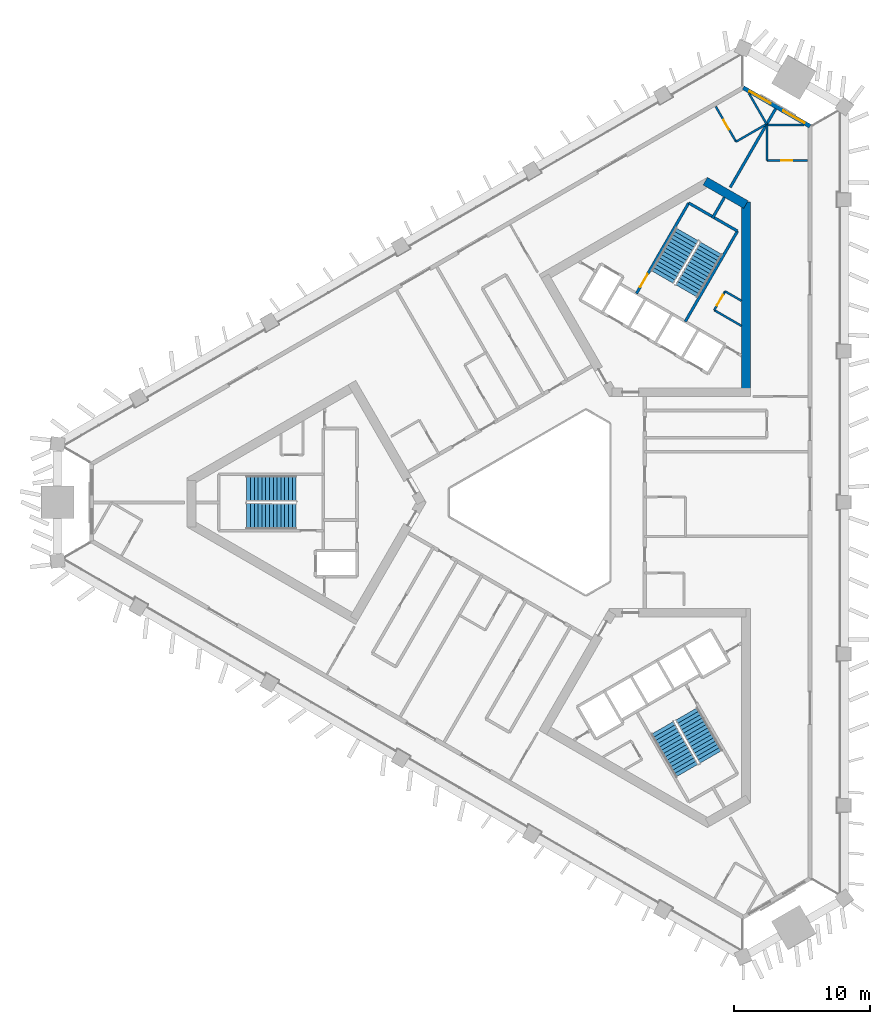
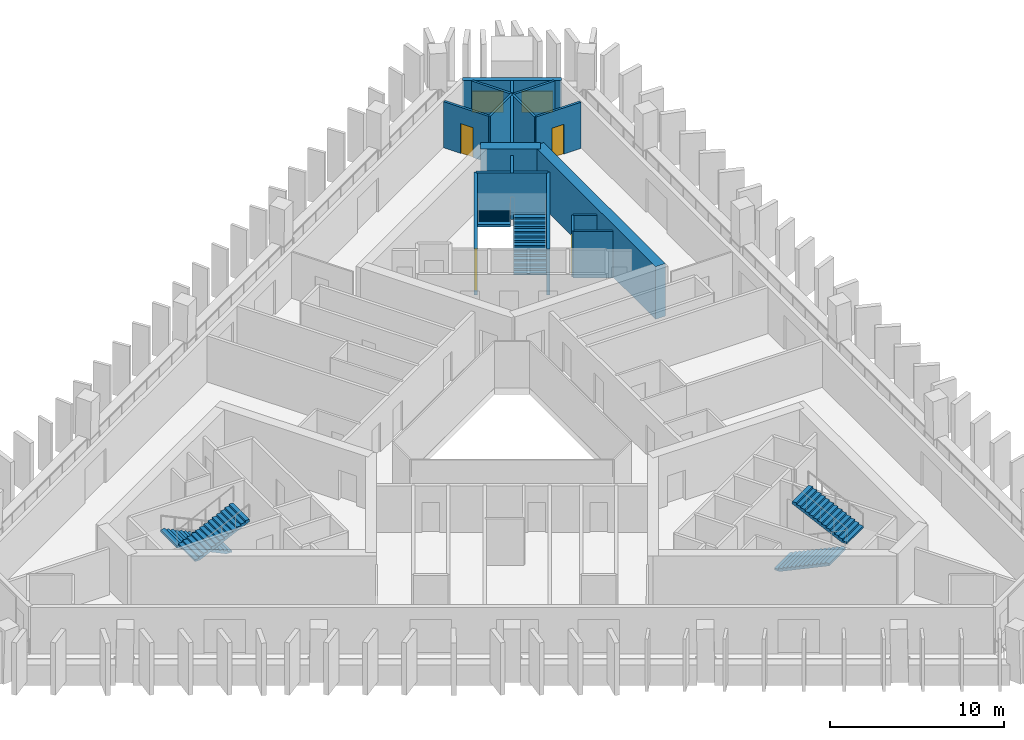
# One storey, part 6 of 10: 17 walls, 6 stair flights, 4 doors, 2 windows, 6 openings, 3 elements without a shape of their own.
"""IFC4 building model written with IfcOpenShell, lengths in metres."""

from ifc_helpers import new_model, si_unit, direction, frame, frame_2d, origin, place, context, subcontext, project, spatial, polyline, rectangle, outline, extrude, material, layer, layer_set, type_object, element, fill, aggregate, save


model = new_model("IFC4")

# Units and contexts
model_context = context("Model", 3, precision=1e-05, world=origin(), true_north=direction((0.0, 1.0)))
body_context = subcontext(model_context, "Body", "Model", "MODEL_VIEW")
ifc_project = project(units=[si_unit("LENGTHUNIT", "METRE"), si_unit("AREAUNIT", "SQUARE_METRE"), si_unit("VOLUMEUNIT", "CUBIC_METRE"), si_unit("PLANEANGLEUNIT", "RADIAN"), si_unit("MASSUNIT", "GRAM", prefix="KILO")], contexts=[model_context])

# Site, building, storey
site_placement = place(None, origin())
site = spatial("IfcSite", under=ifc_project, at=site_placement, CompositionType="ELEMENT")
building_placement = place(site_placement, origin())
building = spatial("IfcBuilding", under=site, at=building_placement, Name="Jabali Bay Hotel Tower and Convention Centre", CompositionType="ELEMENT")
storey_placement = place(building_placement, frame((0.0, 0.0, 140.10009765625)))
storey = spatial("IfcBuildingStorey", under=building, at=storey_placement, Name="L34", CompositionType="ELEMENT", Elevation=140.10009765625)

# Wall
ifc_material_1 = material(Name="Concrete C40", Category="concrete")
ifc_layer_1 = layer(ifc_material_1, 0.199951171875)
ifc_layer_set_1 = layer_set([ifc_layer_1], Name="Concrete C40")
wall_type_1 = type_object("IfcWallType", Name="Core partition wall 200", PredefinedType="PARTITIONING", material=ifc_layer_set_1)
wall_1_placement = place(storey_placement, frame((87.090087890625, 100.9404296875, 0.0), z_axis=(0.0, 0.0, 1.0), x_axis=(0.499944938281, 0.866057191349, 0.0)))
element("IfcWall", 1, at=wall_1_placement, inside=storey, type_object=wall_type_1, Name="Core wall 1.5 L34", PredefinedType="PARTITIONING", context=body_context, shape_type="SweptSolid", body=[
    extrude(rectangle(XDim=1.773193359375, YDim=0.199951171875, at=frame_2d((0.88671875, 0.0))), origin(), (0.0, 0.0, 1.0), 3.25),
])

# Wall, opening, door
ifc_material_2 = material(Name="Fire-rated board partition")
ifc_layer_2 = layer(ifc_material_2, 0.14990234375)
ifc_layer_set_2 = layer_set([ifc_layer_2], Name="Fire-rated board partition")
wall_type_2 = type_object("IfcWallType", Name="Core room partition 150", PredefinedType="PARTITIONING", material=ifc_layer_set_2)
wall_2_placement = place(storey_placement, frame((87.22119140625, 94.16748046875, 0.0), z_axis=(0.0, 0.0, 1.0), x_axis=(0.499880961361, 0.866094119867, 0.0)))
wall_2 = element("IfcWall", 2, at=wall_2_placement, inside=storey, type_object=wall_type_2, Name="Core wall 1.1 L34", PredefinedType="PARTITIONING", context=body_context, shape_type="SweptSolid", body=[
    extrude(rectangle(XDim=1.60009765625, YDim=0.14990234375, at=frame_2d((0.800048828125, 0.0))), origin(), (0.0, 0.0, 1.0), 3.25),
])
opening_1_placement = place(wall_2_placement, frame((0.387451171875, 0.0, 0.0)))
opening_1 = element("IfcOpeningElement", 3, at=opening_1_placement, cuts=wall_2, Name="Opening D755", PredefinedType="OPENING", context=body_context, shape_type="SweptSolid", body=[
    extrude(rectangle(XDim=0.89990234375, YDim=2.10009765625, at=frame_2d((0.449951171875, 1.050048828125))), frame((0.0, 0.08544921875, 0.0), z_axis=(0.0, -1.0, 0.0), x_axis=(1.0, 0.0, 0.0)), (0.0, 0.0, 1.0), 0.1708984375),
])
ifc_material_3 = material(Name="Fire-rated steel door", Category="steel")
door_type_1 = type_object("IfcDoorType", Name="Core room door 900 x 2100", OperationType="NOTDEFINED", PredefinedType="NOTDEFINED", material=ifc_material_3)
door_1_placement = place(opening_1_placement, origin())
door_1 = element("IfcDoor", 4, at=door_1_placement, inside=storey, type_object=door_type_1, Name="Core room door D755", OperationType="SINGLE_SWING_LEFT", OverallHeight=2.10009765625, OverallWidth=0.89990234375, PredefinedType="NOTDEFINED", context=body_context, shape_type="SweptSolid", body=[
    extrude(rectangle(XDim=0.89990234375, YDim=2.10009765625, at=frame_2d((0.449951171875, 1.050048828125))), frame((0.0, 0.02490234375, 0.0), z_axis=(0.0, -1.0, 0.0), x_axis=(1.0, 0.0, 0.0)), (0.0, 0.0, 1.0), 0.050048828125),
])
fill(opening_1, door_1)

# Walls
wall_3_placement = place(storey_placement, frame((89.22998046875, 93.0078125, 0.0), z_axis=(0.0, 0.0, 1.0), x_axis=(-0.866045366557, 0.49996542187, 0.0)))
element("IfcWall", 5, at=wall_3_placement, inside=storey, type_object=wall_type_2, Name="Core wall 1.15 L34", PredefinedType="PARTITIONING", context=body_context, shape_type="SweptSolid", body=[
    extrude(rectangle(XDim=2.319580078125, YDim=0.14990234375, at=frame_2d((1.15966796875, 0.0))), origin(), (0.0, 0.0, 1.0), 3.25),
])
wall_4_placement = place(storey_placement, frame((89.22998046875, 94.855224609375, 0.0), z_axis=(0.0, 0.0, 1.0), x_axis=(-0.866028321769, 0.499994945868, 0.0)))
element("IfcWall", 6, at=wall_4_placement, inside=storey, type_object=wall_type_2, Name="Core wall 1.16 L34", PredefinedType="PARTITIONING", context=body_context, shape_type="SweptSolid", body=[
    extrude(rectangle(XDim=1.39599609375, YDim=0.14990234375, at=frame_2d((0.697998046875, 0.0))), origin(), (0.0, 0.0, 1.0), 3.25),
])
ifc_layer_3 = layer(ifc_material_1, 0.199951171875)
ifc_layer_set_3 = layer_set([ifc_layer_3], Name="Concrete C40")
wall_type_3 = type_object("IfcWallType", Name="Core stair wall 200", PredefinedType="SOLIDWALL", material=ifc_layer_set_3)
wall_5_placement = place(storey_placement, frame((85.0869140625, 93.3212890625, 0.0), z_axis=(0.0, 0.0, 1.0), x_axis=(0.500019787375, 0.866013979237, 0.0)))
element("IfcWall", 7, at=wall_5_placement, inside=storey, type_object=wall_type_3, Name="Core wall 1.3 L34", PredefinedType="SOLIDWALL", context=body_context, shape_type="SweptSolid", body=[
    extrude(rectangle(XDim=7.699951171875, YDim=0.199951171875, at=frame_2d((3.85009765625, 0.0))), origin(), (0.0, 0.0, 1.0), 3.25),
])

# Wall, opening, door
wall_6_placement = place(storey_placement, frame((81.492919921875, 95.396240234375, 0.0), z_axis=(0.0, 0.0, 1.0), x_axis=(0.500006057782, 0.866021906294, 0.0)))
wall_6 = element("IfcWall", 8, at=wall_6_placement, inside=storey, type_object=wall_type_3, Name="Core wall 1.7 L34", PredefinedType="SOLIDWALL", context=body_context, shape_type="SweptSolid", body=[
    extrude(rectangle(XDim=7.7001953125, YDim=0.199951171875, at=frame_2d((3.85009765625, 0.0))), origin(), (0.0, 0.0, 1.0), 3.25),
])
opening_2_placement = place(wall_6_placement, frame((0.550048828125, 0.0, 0.0)))
opening_2 = element("IfcOpeningElement", 9, at=opening_2_placement, cuts=wall_6, Name="Opening D754", PredefinedType="OPENING", context=body_context, shape_type="SweptSolid", body=[
    extrude(rectangle(XDim=1.10009765625, YDim=2.10009765625, at=frame_2d((0.550048828125, 1.050048828125))), frame((0.0, 0.1103515625, 0.0), z_axis=(0.0, -1.0, 0.0), x_axis=(1.0, 0.0, 0.0)), (0.0, 0.0, 1.0), 0.220947265625),
])
door_type_2 = type_object("IfcDoorType", Name="Stair fire door 1100 x 2100", OperationType="NOTDEFINED", PredefinedType="NOTDEFINED", material=ifc_material_3)
door_2_placement = place(opening_2_placement, origin())
door_2 = element("IfcDoor", 10, at=door_2_placement, inside=storey, type_object=door_type_2, Name="Stair fire door D754", OperationType="SINGLE_SWING_RIGHT", OverallHeight=2.10009765625, OverallWidth=1.10009765625, PredefinedType="NOTDEFINED", context=body_context, shape_type="SweptSolid", body=[
    extrude(rectangle(XDim=1.10009765625, YDim=2.10009765625, at=frame_2d((0.550048828125, 1.050048828125))), frame((0.0, 0.02490234375, 0.0), z_axis=(0.0, -1.0, 0.0), x_axis=(1.0, 0.0, 0.0)), (0.0, 0.0, 1.0), 0.050048828125),
])
fill(opening_2, door_2)

# Walls
wall_7_placement = place(storey_placement, frame((88.93701171875, 99.989501953125, 0.0), z_axis=(0.0, 0.0, 1.0), x_axis=(-0.866004344652, 0.500036473714, 0.0)))
element("IfcWall", 11, at=wall_7_placement, inside=storey, type_object=wall_type_3, Name="Core wall 1.17 L34", PredefinedType="SOLIDWALL", context=body_context, shape_type="SweptSolid", body=[
    extrude(rectangle(XDim=4.150146484375, YDim=0.199951171875, at=frame_2d((2.0751953125, 0.0))), origin(), (0.0, 0.0, 1.0), 3.25),
])
ifc_material_4 = material(Name="Concrete C60", Category="concrete")
ifc_layer_4 = layer(ifc_material_4, 0.64990234375)
ifc_layer_set_4 = layer_set([ifc_layer_4], Name="Concrete C60")
wall_type_4 = type_object("IfcWallType", Name="Core wall 650", PredefinedType="SHEAR", material=ifc_layer_set_4)
wall_8_placement = place(storey_placement, frame((89.554931640625, 88.119140625, 0.0), z_axis=(0.0, 0.0, 1.0), x_axis=(0.0, 1.0, 0.0)))
element("IfcWall", 12, at=wall_8_placement, inside=storey, type_object=wall_type_4, Name="Core wall 2.2 L34", PredefinedType="SHEAR", context=body_context, shape_type="SweptSolid", body=[
    extrude(rectangle(XDim=14.008544921875, YDim=0.64990234375, at=frame_2d((7.00439453125, 0.0))), origin(), (0.0, 0.0, 1.0), 3.699951171875),
])
wall_9_placement = place(storey_placement, frame((89.554931640625, 101.93994140625, 0.0), z_axis=(0.0, 0.0, 1.0), x_axis=(-0.866031550877, 0.499989352773, 0.0)))
element("IfcWall", 13, at=wall_9_placement, inside=storey, type_object=wall_type_4, Name="Core wall 2.3 L34", PredefinedType="SHEAR", context=body_context, shape_type="SweptSolid", body=[
    extrude(rectangle(XDim=3.45751953125, YDim=0.64990234375, at=frame_2d((1.728759765625, 0.0))), origin(), (0.0, 0.0, 1.0), 3.699951171875),
])

# Wall, openings, windows
ifc_layer_5 = layer(ifc_material_1, 0.300048828125)
ifc_layer_set_5 = layer_set([ifc_layer_5], Name="Concrete C40")
wall_type_5 = type_object("IfcWallType", Name="External wall 300", PredefinedType="SOLIDWALL", material=ifc_layer_set_5)
wall_10_placement = place(storey_placement, frame((89.365234375, 110.55322265625, 0.0), z_axis=(0.0, 0.0, 1.0), x_axis=(0.866019999656, -0.500009360108, 0.0)))
wall_10 = element("IfcWall", 14, at=wall_10_placement, inside=storey, type_object=wall_type_5, Name="External wall north-east chamfer L34", PredefinedType="SOLIDWALL", context=body_context, shape_type="SweptSolid", body=[
    extrude(rectangle(XDim=5.671875, YDim=0.300048828125, at=frame_2d((2.8359375, 0.0))), origin(), (0.0, 0.0, 1.0), 3.25),
])
opening_3_placement = place(wall_10_placement, frame((3.3955078125, 0.0, 0.89990234375)))
opening_3 = element("IfcOpeningElement", 15, at=opening_3_placement, cuts=wall_10, Name="Opening W1", PredefinedType="OPENING", context=body_context, shape_type="SweptSolid", body=[
    extrude(rectangle(XDim=1.800048828125, YDim=1.5, at=frame_2d((0.89990234375, 0.75))), frame((0.0, 0.16064453125, 0.0), z_axis=(0.0, -1.0, 0.0), x_axis=(1.0, 0.0, 0.0)), (0.0, 0.0, 1.0), 0.321044921875),
])
opening_4_placement = place(wall_10_placement, frame((0.53515625, 0.0, 0.89990234375)))
opening_4 = element("IfcOpeningElement", 16, at=opening_4_placement, cuts=wall_10, Name="Opening W1", PredefinedType="OPENING", context=body_context, shape_type="SweptSolid", body=[
    extrude(rectangle(XDim=1.800048828125, YDim=1.5, at=frame_2d((0.89990234375, 0.75))), frame((0.0, 0.16064453125, 0.0), z_axis=(0.0, -1.0, 0.0), x_axis=(1.0, 0.0, 0.0)), (0.0, 0.0, 1.0), 0.321044921875),
])
ifc_material_5 = material(Name="Glass", Category="glass")
window_type = type_object("IfcWindowType", Name="Window 1800 x 1500", PartitioningType="SINGLE_PANEL", PredefinedType="WINDOW", material=ifc_material_5)
window_1_placement = place(opening_3_placement, origin())
window_1 = element("IfcWindow", 17, at=window_1_placement, inside=storey, type_object=window_type, Name="Window 3403", OverallHeight=1.5, OverallWidth=1.800048828125, PartitioningType="SINGLE_PANEL", PredefinedType="WINDOW", context=body_context, shape_type="SweptSolid", body=[
    extrude(rectangle(XDim=1.800048828125, YDim=1.5, at=frame_2d((0.89990234375, 0.75))), frame((0.0, 0.030029296875, 0.0), z_axis=(0.0, -1.0, 0.0), x_axis=(1.0, 0.0, 0.0)), (0.0, 0.0, 1.0), 0.06005859375),
])
fill(opening_3, window_1)
window_2_placement = place(opening_4_placement, origin())
window_2 = element("IfcWindow", 18, at=window_2_placement, inside=storey, type_object=window_type, Name="Window 3405", OverallHeight=1.5, OverallWidth=1.800048828125, PartitioningType="SINGLE_PANEL", PredefinedType="WINDOW", context=body_context, shape_type="SweptSolid", body=[
    extrude(rectangle(XDim=1.800048828125, YDim=1.5, at=frame_2d((0.89990234375, 0.75))), frame((0.0, 0.030029296875, 0.0), z_axis=(0.0, -1.0, 0.0), x_axis=(1.0, 0.0, 0.0)), (0.0, 0.0, 1.0), 0.06005859375),
])
fill(opening_4, window_2)

# Wall, opening, door
ifc_material_6 = material(Name="Plasterboard on steel stud", Category="steel")
ifc_layer_6 = layer(ifc_material_6, 0.14990234375)
ifc_layer_set_6 = layer_set([ifc_layer_6], Name="Plasterboard on steel stud")
wall_type_6 = type_object("IfcWallType", Name="Partition 150 wet", PredefinedType="PARTITIONING", material=ifc_layer_set_6)
wall_11_placement = place(storey_placement, frame((94.087158203125, 105.1943359375, 0.0), z_axis=(0.0, 0.0, 1.0), x_axis=(-1.0, 0.0, 0.0)))
wall_11 = element("IfcWall", 19, at=wall_11_placement, inside=storey, type_object=wall_type_6, Name="Partition P03 L34 013", PredefinedType="PARTITIONING", context=body_context, shape_type="SweptSolid", body=[
    extrude(rectangle(XDim=2.985595703125, YDim=0.14990234375, at=frame_2d((1.49267578125, 0.0))), origin(), (0.0, 0.0, 1.0), 3.25),
])
opening_5_placement = place(wall_11_placement, frame((1.1357421875, 0.0, 0.0)))
opening_5 = element("IfcOpeningElement", 20, at=opening_5_placement, cuts=wall_11, Name="Opening 3407", PredefinedType="OPENING", context=body_context, shape_type="SweptSolid", body=[
    extrude(rectangle(XDim=0.800048828125, YDim=2.10009765625, at=frame_2d((0.39990234375, 1.050048828125))), frame((0.0, 0.08544921875, 0.0), z_axis=(0.0, -1.0, 0.0), x_axis=(1.0, 0.0, 0.0)), (0.0, 0.0, 1.0), 0.1708984375),
])
ifc_material_7 = material(Name="Timber", Category="wood")
door_type_3 = type_object("IfcDoorType", Name="En-suite door 800 x 2100", OperationType="NOTDEFINED", PredefinedType="NOTDEFINED", material=ifc_material_7)
door_3_placement = place(opening_5_placement, origin())
door_3 = element("IfcDoor", 21, at=door_3_placement, inside=storey, type_object=door_type_3, Name="Door 3407", OperationType="SINGLE_SWING_LEFT", OverallHeight=2.10009765625, OverallWidth=0.800048828125, PredefinedType="NOTDEFINED", context=body_context, shape_type="SweptSolid", body=[
    extrude(rectangle(XDim=0.800048828125, YDim=2.10009765625, at=frame_2d((0.39990234375, 1.050048828125))), frame((0.0, 0.02490234375, 0.0), z_axis=(0.0, -1.0, 0.0), x_axis=(1.0, 0.0, 0.0)), (0.0, 0.0, 1.0), 0.050048828125),
])
fill(opening_5, door_3)

# Walls
wall_12_placement = place(storey_placement, frame((91.1015625, 105.1943359375, 0.0), z_axis=(0.0, 0.0, 1.0), x_axis=(0.0, 1.0, 0.0)))
element("IfcWall", 22, at=wall_12_placement, inside=storey, type_object=wall_type_6, Name="Partition P03 L34 014", PredefinedType="PARTITIONING", context=body_context, shape_type="SweptSolid", body=[
    extrude(rectangle(XDim=2.599853515625, YDim=0.14990234375, at=frame_2d((1.2998046875, 0.0))), origin(), (0.0, 0.0, 1.0), 3.25),
])
wall_13_placement = place(storey_placement, frame((91.1015625, 107.794189453125, 0.0), z_axis=(0.0, 0.0, 1.0), x_axis=(1.0, 0.0, 0.0)))
element("IfcWall", 23, at=wall_13_placement, inside=storey, type_object=wall_type_6, Name="Partition P03 L34 015", PredefinedType="PARTITIONING", context=body_context, shape_type="SweptSolid", body=[
    extrude(rectangle(XDim=2.744140625, YDim=0.14990234375, at=frame_2d((1.3720703125, 0.0))), origin(), (0.0, 0.0, 1.0), 3.25),
])
wall_14_placement = place(storey_placement, frame((89.770263671875, 110.147216796875, 0.0), z_axis=(0.0, 0.0, 1.0), x_axis=(0.500015355683, -0.866016537995, 0.0)))
element("IfcWall", 24, at=wall_14_placement, inside=storey, type_object=wall_type_6, Name="Partition P03 L34 022", PredefinedType="PARTITIONING", context=body_context, shape_type="SweptSolid", body=[
    extrude(rectangle(XDim=2.62158203125, YDim=0.14990234375, at=frame_2d((1.310791015625, 0.0))), origin(), (0.0, 0.0, 1.0), 3.25),
])
wall_15_placement = place(storey_placement, frame((91.0810546875, 107.876953125, 0.0), z_axis=(0.0, 0.0, 1.0), x_axis=(-0.866021400173, -0.500006934395, 0.0)))
element("IfcWall", 25, at=wall_15_placement, inside=storey, type_object=wall_type_6, Name="Partition P03 L34 023", PredefinedType="PARTITIONING", context=body_context, shape_type="SweptSolid", body=[
    extrude(rectangle(XDim=2.60009765625, YDim=0.14990234375, at=frame_2d((1.300048828125, 0.0))), origin(), (0.0, 0.0, 1.0), 3.25),
])

# Wall, opening, door
wall_16_placement = place(storey_placement, frame((88.829345703125, 106.576904296875, 0.0), z_axis=(0.0, 0.0, 1.0), x_axis=(-0.499956044622, 0.866050779946, 0.0)))
wall_16 = element("IfcWall", 26, at=wall_16_placement, inside=storey, type_object=wall_type_6, Name="Partition P03 L34 024", PredefinedType="PARTITIONING", context=body_context, shape_type="SweptSolid", body=[
    extrude(rectangle(XDim=2.985595703125, YDim=0.14990234375, at=frame_2d((1.49267578125, 0.0))), origin(), (0.0, 0.0, 1.0), 3.25),
])
opening_6_placement = place(wall_16_placement, frame((1.050048828125, 0.0, 0.0)))
opening_6 = element("IfcOpeningElement", 27, at=opening_6_placement, cuts=wall_16, Name="Opening 3411", PredefinedType="OPENING", context=body_context, shape_type="SweptSolid", body=[
    extrude(rectangle(XDim=0.800048828125, YDim=2.10009765625, at=frame_2d((0.39990234375, 1.050048828125))), frame((0.0, 0.08544921875, 0.0), z_axis=(0.0, -1.0, 0.0), x_axis=(1.0, 0.0, 0.0)), (0.0, 0.0, 1.0), 0.1708984375),
])
door_4_placement = place(opening_6_placement, origin())
door_4 = element("IfcDoor", 28, at=door_4_placement, inside=storey, type_object=door_type_3, Name="Door 3411", OperationType="SINGLE_SWING_RIGHT", OverallHeight=2.10009765625, OverallWidth=0.800048828125, PredefinedType="NOTDEFINED", context=body_context, shape_type="SweptSolid", body=[
    extrude(rectangle(XDim=0.800048828125, YDim=2.10009765625, at=frame_2d((0.39990234375, 1.050048828125))), frame((0.0, 0.02490234375, 0.0), z_axis=(0.0, -1.0, 0.0), x_axis=(1.0, 0.0, 0.0)), (0.0, 0.0, 1.0), 0.050048828125),
])
fill(opening_6, door_4)

# Wall
ifc_layer_7 = layer(ifc_material_6, 0.199951171875)
ifc_layer_set_7 = layer_set([ifc_layer_7], Name="Plasterboard on steel stud")
wall_type_7 = type_object("IfcWallType", Name="Partition 200 party", PredefinedType="PARTITIONING", material=ifc_layer_set_7)
wall_17_placement = place(storey_placement, frame((91.74658203125, 109.006103515625, 0.0), z_axis=(0.0, 0.0, 1.0), x_axis=(-0.499973018359, -0.866040981082, 0.0)))
element("IfcWall", 29, at=wall_17_placement, inside=storey, type_object=wall_type_7, Name="Partition P01 L34 016", PredefinedType="PARTITIONING", context=body_context, shape_type="SweptSolid", body=[
    extrude(rectangle(XDim=6.691162109375, YDim=0.199951171875, at=frame_2d((3.345703125, 0.0))), origin(), (0.0, 0.0, 1.0), 3.25),
])

# Stair, stair flights
stair_type = type_object("IfcStairType", Name="Exit stair 1900", PredefinedType="HALF_TURN_STAIR", material=ifc_material_1)
stair_1_placement = place(storey_placement, origin())
stair_1 = element("IfcStair", 30, at=stair_1_placement, inside=storey, type_object=stair_type, Name="L34 Exit Stair 1", PredefinedType="HALF_TURN_STAIR")
stair_flight_type = type_object("IfcStairFlightType", Name="Stair flight concrete 150", PredefinedType="STRAIGHT", material=ifc_material_1)
stair_flight_1_placement = place(storey_placement, frame((56.419921875, 81.02490234375, 0.0), z_axis=(0.0, 0.0, 1.0), x_axis=(-1.0, 0.0, 0.0)))
stair_flight_1 = element("IfcStairFlight", 31, at=stair_flight_1_placement, type_object=stair_flight_type, Name="ST1 flight 1", NumberOfRisers=14, NumberOfTreads=13, PredefinedType="STRAIGHT", RiserHeight=0.132142857, TreadLength=0.28, context=body_context, shape_type="SweptSolid", body=[
    extrude(outline(polyline([(0.0, 0.0), (0.0, 0.132080078125), (0.280029296875, 0.132080078125), (0.280029296875, 0.264404296875), (0.56005859375, 0.264404296875), (0.56005859375, 0.396484375), (0.840087890625, 0.396484375), (0.840087890625, 0.528564453125), (1.1201171875, 0.528564453125), (1.1201171875, 0.66064453125), (1.39990234375, 0.66064453125), (1.39990234375, 0.79296875), (1.679931640625, 0.79296875), (1.679931640625, 0.925048828125), (1.9599609375, 0.925048828125), (1.9599609375, 1.05712890625), (2.239990234375, 1.05712890625), (2.239990234375, 1.189208984375), (2.52001953125, 1.189208984375), (2.52001953125, 1.321533203125), (2.800048828125, 1.321533203125), (2.800048828125, 1.45361328125), (3.080078125, 1.45361328125), (3.080078125, 1.585693359375), (3.360107421875, 1.585693359375), (3.360107421875, 1.7177734375), (3.639892578125, 1.7177734375), (3.639892578125, 1.85009765625), (3.639892578125, 1.552001953125), (0.351318359375, 0.0), (0.0, 0.0)])), frame((0.0, 0.949951171875, 0.0), z_axis=(0.0, -1.0, 0.0), x_axis=(1.0, 0.0, 0.0)), (0.0, 0.0, 1.0), 1.89990234375),
])
stair_flight_2_placement = place(storey_placement, frame((52.780029296875, 78.97509765625, 1.849853515625), z_axis=(0.0, 0.0, 1.0), x_axis=(1.0, 0.0, 0.0)))
stair_flight_2 = element("IfcStairFlight", 32, at=stair_flight_2_placement, type_object=stair_flight_type, Name="ST1 flight 2", NumberOfRisers=14, NumberOfTreads=13, PredefinedType="STRAIGHT", RiserHeight=0.132142857, TreadLength=0.28, context=body_context, shape_type="SweptSolid", body=[
    extrude(outline(polyline([(0.0, 0.0), (0.0, 0.132080078125), (0.280029296875, 0.132080078125), (0.280029296875, 0.264404296875), (0.56005859375, 0.264404296875), (0.56005859375, 0.396484375), (0.840087890625, 0.396484375), (0.840087890625, 0.528564453125), (1.1201171875, 0.528564453125), (1.1201171875, 0.66064453125), (1.39990234375, 0.66064453125), (1.39990234375, 0.79296875), (1.679931640625, 0.79296875), (1.679931640625, 0.925048828125), (1.9599609375, 0.925048828125), (1.9599609375, 1.05712890625), (2.239990234375, 1.05712890625), (2.239990234375, 1.189208984375), (2.52001953125, 1.189208984375), (2.52001953125, 1.321533203125), (2.800048828125, 1.321533203125), (2.800048828125, 1.45361328125), (3.080078125, 1.45361328125), (3.080078125, 1.585693359375), (3.360107421875, 1.585693359375), (3.360107421875, 1.7177734375), (3.639892578125, 1.7177734375), (3.639892578125, 1.85009765625), (3.639892578125, 1.552001953125), (0.351318359375, 0.0), (0.0, 0.0)])), frame((0.0, 0.949951171875, 0.0), z_axis=(0.0, -1.0, 0.0), x_axis=(1.0, 0.0, 0.0)), (0.0, 0.0, 1.0), 1.89990234375),
])
aggregate(stair_1, [stair_flight_1, stair_flight_2])

stair_2_placement = place(storey_placement, origin())
stair_2 = element("IfcStair", 33, at=stair_2_placement, inside=storey, type_object=stair_type, Name="L34 Exit Stair 2", PredefinedType="HALF_TURN_STAIR")
stair_flight_3_placement = place(storey_placement, frame((85.177734375, 95.578369140625, 0.0), z_axis=(0.0, 0.0, 1.0), x_axis=(0.5, 0.866025403784, 0.0)))
stair_flight_3 = element("IfcStairFlight", 34, at=stair_flight_3_placement, type_object=stair_flight_type, Name="ST2 flight 1", NumberOfRisers=14, NumberOfTreads=13, PredefinedType="STRAIGHT", RiserHeight=0.132142857, TreadLength=0.28, context=body_context, shape_type="SweptSolid", body=[
    extrude(outline(polyline([(0.0, 0.0), (0.0, 0.132080078125), (0.280029296875, 0.132080078125), (0.280029296875, 0.264404296875), (0.56005859375, 0.264404296875), (0.56005859375, 0.396484375), (0.840087890625, 0.396484375), (0.840087890625, 0.528564453125), (1.1201171875, 0.528564453125), (1.1201171875, 0.66064453125), (1.39990234375, 0.66064453125), (1.39990234375, 0.79296875), (1.679931640625, 0.79296875), (1.679931640625, 0.925048828125), (1.9599609375, 0.925048828125), (1.9599609375, 1.05712890625), (2.239990234375, 1.05712890625), (2.239990234375, 1.189208984375), (2.52001953125, 1.189208984375), (2.52001953125, 1.321533203125), (2.800048828125, 1.321533203125), (2.800048828125, 1.45361328125), (3.080078125, 1.45361328125), (3.080078125, 1.585693359375), (3.360107421875, 1.585693359375), (3.360107421875, 1.7177734375), (3.639892578125, 1.7177734375), (3.639892578125, 1.85009765625), (3.639892578125, 1.552001953125), (0.351318359375, 0.0), (0.0, 0.0)])), frame((0.0, 0.949951171875, 0.0), z_axis=(0.0, -1.0, 0.0), x_axis=(1.0, 0.0, 0.0)), (0.0, 0.0, 1.0), 1.89990234375),
])
stair_flight_4_placement = place(storey_placement, frame((85.222412109375, 99.755615234375, 1.849853515625), z_axis=(0.0, 0.0, 1.0), x_axis=(-0.5, -0.866025403784, 0.0)))
stair_flight_4 = element("IfcStairFlight", 35, at=stair_flight_4_placement, type_object=stair_flight_type, Name="ST2 flight 2", NumberOfRisers=14, NumberOfTreads=13, PredefinedType="STRAIGHT", RiserHeight=0.132142857, TreadLength=0.28, context=body_context, shape_type="SweptSolid", body=[
    extrude(outline(polyline([(0.0, 0.0), (0.0, 0.132080078125), (0.280029296875, 0.132080078125), (0.280029296875, 0.264404296875), (0.56005859375, 0.264404296875), (0.56005859375, 0.396484375), (0.840087890625, 0.396484375), (0.840087890625, 0.528564453125), (1.1201171875, 0.528564453125), (1.1201171875, 0.66064453125), (1.39990234375, 0.66064453125), (1.39990234375, 0.79296875), (1.679931640625, 0.79296875), (1.679931640625, 0.925048828125), (1.9599609375, 0.925048828125), (1.9599609375, 1.05712890625), (2.239990234375, 1.05712890625), (2.239990234375, 1.189208984375), (2.52001953125, 1.189208984375), (2.52001953125, 1.321533203125), (2.800048828125, 1.321533203125), (2.800048828125, 1.45361328125), (3.080078125, 1.45361328125), (3.080078125, 1.585693359375), (3.360107421875, 1.585693359375), (3.360107421875, 1.7177734375), (3.639892578125, 1.7177734375), (3.639892578125, 1.85009765625), (3.639892578125, 1.552001953125), (0.351318359375, 0.0), (0.0, 0.0)])), frame((0.0, 0.949951171875, 0.0), z_axis=(0.0, -1.0, 0.0), x_axis=(1.0, 0.0, 0.0)), (0.0, 0.0, 1.0), 1.89990234375),
])
aggregate(stair_2, [stair_flight_3, stair_flight_4])

stair_3_placement = place(storey_placement, origin())
stair_3 = element("IfcStair", 36, at=stair_3_placement, inside=storey, type_object=stair_type, Name="L34 Exit Stair 3", PredefinedType="HALF_TURN_STAIR")
stair_flight_5_placement = place(storey_placement, frame((83.40234375, 63.396728515625, 0.0), z_axis=(0.0, 0.0, 1.0), x_axis=(0.5, -0.866025403784, 0.0)))
stair_flight_5 = element("IfcStairFlight", 37, at=stair_flight_5_placement, type_object=stair_flight_type, Name="ST3 flight 1", NumberOfRisers=14, NumberOfTreads=13, PredefinedType="STRAIGHT", RiserHeight=0.132142857, TreadLength=0.28, context=body_context, shape_type="SweptSolid", body=[
    extrude(outline(polyline([(0.0, 0.0), (0.0, 0.132080078125), (0.280029296875, 0.132080078125), (0.280029296875, 0.264404296875), (0.56005859375, 0.264404296875), (0.56005859375, 0.396484375), (0.840087890625, 0.396484375), (0.840087890625, 0.528564453125), (1.1201171875, 0.528564453125), (1.1201171875, 0.66064453125), (1.39990234375, 0.66064453125), (1.39990234375, 0.79296875), (1.679931640625, 0.79296875), (1.679931640625, 0.925048828125), (1.9599609375, 0.925048828125), (1.9599609375, 1.05712890625), (2.239990234375, 1.05712890625), (2.239990234375, 1.189208984375), (2.52001953125, 1.189208984375), (2.52001953125, 1.321533203125), (2.800048828125, 1.321533203125), (2.800048828125, 1.45361328125), (3.080078125, 1.45361328125), (3.080078125, 1.585693359375), (3.360107421875, 1.585693359375), (3.360107421875, 1.7177734375), (3.639892578125, 1.7177734375), (3.639892578125, 1.85009765625), (3.639892578125, 1.552001953125), (0.351318359375, 0.0), (0.0, 0.0)])), frame((0.0, 0.949951171875, 0.0), z_axis=(0.0, -1.0, 0.0), x_axis=(1.0, 0.0, 0.0)), (0.0, 0.0, 1.0), 1.89990234375),
])
stair_flight_6_placement = place(storey_placement, frame((86.99755859375, 61.26953125, 1.849853515625), z_axis=(0.0, 0.0, 1.0), x_axis=(-0.5, 0.866025403784, 0.0)))
stair_flight_6 = element("IfcStairFlight", 38, at=stair_flight_6_placement, type_object=stair_flight_type, Name="ST3 flight 2", NumberOfRisers=14, NumberOfTreads=13, PredefinedType="STRAIGHT", RiserHeight=0.132142857, TreadLength=0.28, context=body_context, shape_type="SweptSolid", body=[
    extrude(outline(polyline([(0.0, 0.0), (0.0, 0.132080078125), (0.280029296875, 0.132080078125), (0.280029296875, 0.264404296875), (0.56005859375, 0.264404296875), (0.56005859375, 0.396484375), (0.840087890625, 0.396484375), (0.840087890625, 0.528564453125), (1.1201171875, 0.528564453125), (1.1201171875, 0.66064453125), (1.39990234375, 0.66064453125), (1.39990234375, 0.79296875), (1.679931640625, 0.79296875), (1.679931640625, 0.925048828125), (1.9599609375, 0.925048828125), (1.9599609375, 1.05712890625), (2.239990234375, 1.05712890625), (2.239990234375, 1.189208984375), (2.52001953125, 1.189208984375), (2.52001953125, 1.321533203125), (2.800048828125, 1.321533203125), (2.800048828125, 1.45361328125), (3.080078125, 1.45361328125), (3.080078125, 1.585693359375), (3.360107421875, 1.585693359375), (3.360107421875, 1.7177734375), (3.639892578125, 1.7177734375), (3.639892578125, 1.85009765625), (3.639892578125, 1.552001953125), (0.351318359375, 0.0), (0.0, 0.0)])), frame((0.0, 0.949951171875, 0.0), z_axis=(0.0, -1.0, 0.0), x_axis=(1.0, 0.0, 0.0)), (0.0, 0.0, 1.0), 1.89990234375),
])
aggregate(stair_3, [stair_flight_5, stair_flight_6])

save(model, "model.ifc")
